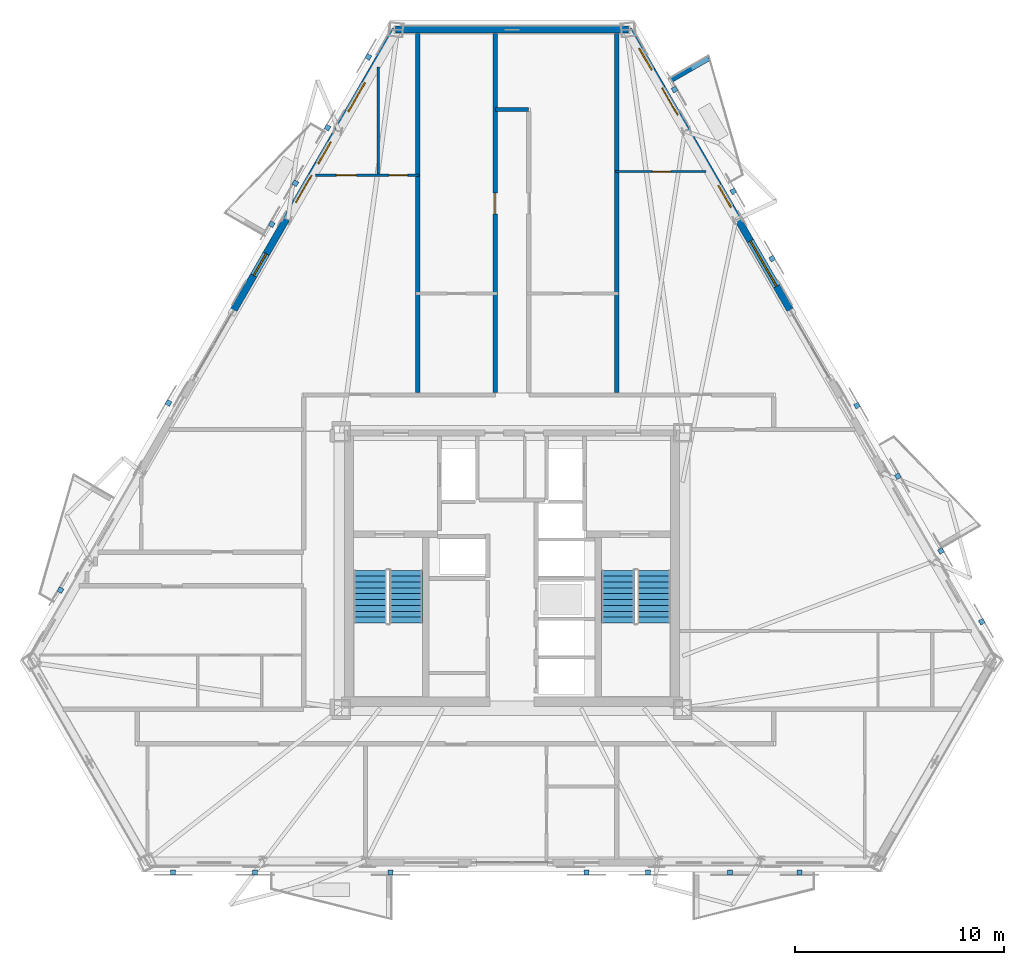
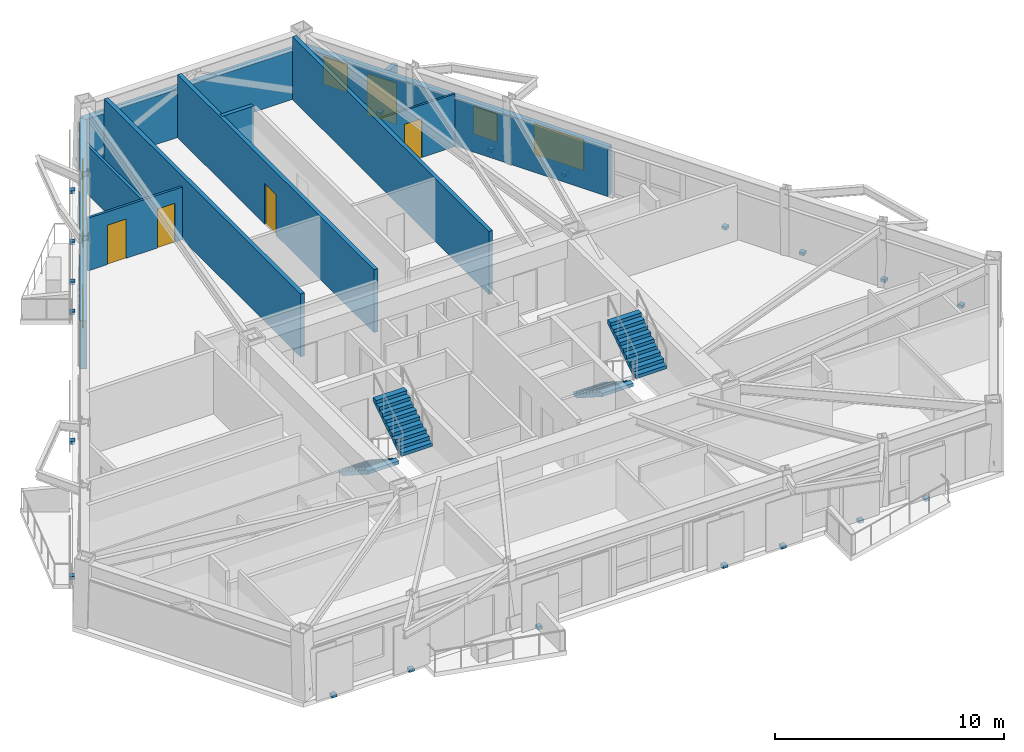
# One storey, part 12 of 16: 20 discrete accessories, 11 walls, 6 doors, 6 windows, 4 stair flights, 12 openings, 2 elements without a shape of their own.
"""IFC4 building model written with IfcOpenShell, lengths in metres."""

from ifc_helpers import new_model, si_unit, direction, frame, frame_2d, origin, origin_2d, place, context, subcontext, project, spatial, polyline, rectangle, outline, extrude, material, layer, layer_set, type_object, element, fill, aggregate, save


model = new_model("IFC4")

# Units and contexts
model_context = context("Model", 3, precision=1e-05, world=origin(), true_north=direction((0.0, 1.0)))
body_context = subcontext(model_context, "Body", "Model", "MODEL_VIEW")
ifc_project = project(units=[si_unit("LENGTHUNIT", "METRE"), si_unit("AREAUNIT", "SQUARE_METRE"), si_unit("VOLUMEUNIT", "CUBIC_METRE"), si_unit("PLANEANGLEUNIT", "RADIAN"), si_unit("MASSUNIT", "GRAM", prefix="KILO")], contexts=[model_context])

# Site, building, storey
site_placement = place(None, origin())
site = spatial("IfcSite", under=ifc_project, at=site_placement, CompositionType="ELEMENT")
building_placement = place(site_placement, origin())
building = spatial("IfcBuilding", under=site, at=building_placement, Name="Oramaril Tower", CompositionType="ELEMENT")
storey_placement = place(building_placement, frame((0.0, 0.0, 115.800048828125)))
storey = spatial("IfcBuildingStorey", under=building, at=storey_placement, Name="L30", CompositionType="ELEMENT", Elevation=115.800048828125)

# Wall, openings, door, windows
ifc_material_1 = material(Name="Warm Cream Limestone", Category="masonry")
ifc_layer_1 = layer(ifc_material_1, 0.340087890625)
ifc_layer_set_1 = layer_set([ifc_layer_1], Name="WT-EXT34")
wall_type_1 = type_object("IfcWallType", Name="WT-EXT34", PredefinedType="SOLIDWALL", material=ifc_layer_set_1)
wall_1_placement = place(storey_placement, frame((50.7890625, 30.024169921875, 0.0), z_axis=(0.0, 0.0, 1.0), x_axis=(-0.499997162583, 0.866027041962, 0.0)))
wall_1 = element("IfcWall", 1, at=wall_1_placement, inside=storey, type_object=wall_type_1, Name="L30 Tower Limestone Facade Wall 4R", PredefinedType="SOLIDWALL", context=body_context, shape_type="SweptSolid", body=[
    extrude(rectangle(XDim=15.462890625, YDim=0.340087890625, at=frame_2d((7.7314453125, 0.0))), origin(), (0.0, 0.0, 1.0), 2.577880859375),
])
opening_1_placement = place(wall_1_placement, frame((10.74365234375, 0.0, 0.0)))
opening_1 = element("IfcOpeningElement", 2, at=opening_1_placement, cuts=wall_1, Name="Opening D-L30-BAL-NE2", PredefinedType="OPENING", context=body_context, shape_type="SweptSolid", body=[
    extrude(rectangle(XDim=1.5, YDim=2.199951171875, at=frame_2d((0.75, 1.10009765625))), frame((0.0, 0.169921875, 0.0), z_axis=(0.0, -1.0, 0.0), x_axis=(1.0, 0.0, 0.0)), (0.0, 0.0, 1.0), 0.340087890625),
])
opening_2_placement = place(wall_1_placement, frame((1.306396484375, 0.0, 0.85009765625)))
opening_2 = element("IfcOpeningElement", 3, at=opening_2_placement, cuts=wall_1, Name="Opening WN-11", PredefinedType="OPENING", context=body_context, shape_type="SweptSolid", body=[
    extrude(rectangle(XDim=2.5, YDim=1.617919921875, at=frame_2d((1.25, 0.80908203125))), frame((0.0, 0.169921875, 0.0), z_axis=(0.0, -1.0, 0.0), x_axis=(1.0, 0.0, 0.0)), (0.0, 0.0, 1.0), 0.340087890625),
])
opening_3_placement = place(wall_1_placement, frame((5.665283203125, 0.0, 0.85009765625)))
opening_3 = element("IfcOpeningElement", 4, at=opening_3_placement, cuts=wall_1, Name="Opening WN-09", PredefinedType="OPENING", context=body_context, shape_type="SweptSolid", body=[
    extrude(rectangle(XDim=1.199951171875, YDim=1.47998046875, at=frame_2d((0.60009765625, 0.739990234375))), frame((0.0, 0.169921875, 0.0), z_axis=(0.0, -1.0, 0.0), x_axis=(1.0, 0.0, 0.0)), (0.0, 0.0, 1.0), 0.340087890625),
])
opening_4_placement = place(wall_1_placement, frame((13.2314453125, 0.0, 0.85009765625)))
opening_4 = element("IfcOpeningElement", 5, at=opening_4_placement, cuts=wall_1, Name="Opening WN-09", PredefinedType="OPENING", context=body_context, shape_type="SweptSolid", body=[
    extrude(rectangle(XDim=1.199951171875, YDim=1.47998046875, at=frame_2d((0.60009765625, 0.739990234375))), frame((0.0, 0.169921875, 0.0), z_axis=(0.0, -1.0, 0.0), x_axis=(1.0, 0.0, 0.0)), (0.0, 0.0, 1.0), 0.340087890625),
])
ifc_material_2 = material(Name="Anodised Aluminium 6063-T6", Category="aluminium")
door_type_1 = type_object("IfcDoorType", Name="DT-BAL", OperationType="NOTDEFINED", PredefinedType="DOOR", material=ifc_material_2)
door_1_placement = place(opening_1_placement, origin())
door_1 = element("IfcDoor", 6, at=door_1_placement, inside=storey, type_object=door_type_1, Name="L30 Balcony Glazed Door L30-BAL-NE2", OperationType="SINGLE_SWING_RIGHT", OverallHeight=2.199951171875, OverallWidth=1.5, PredefinedType="DOOR", context=body_context, shape_type="SweptSolid", body=[
    extrude(rectangle(XDim=1.5, YDim=2.199951171875, at=frame_2d((0.75, 1.10009765625))), frame((0.0, 0.02490234375, 0.0), z_axis=(0.0, -1.0, 0.0), x_axis=(1.0, 0.0, 0.0)), (0.0, 0.0, 1.0), 0.050048828125),
])
fill(opening_1, door_1)
ifc_material_3 = material(Name="Coastal Low-E Insulated Glass", Category="glass")
window_type_1 = type_object("IfcWindowType", Name="WNT-09", PartitioningType="SINGLE_PANEL", PredefinedType="WINDOW", material=ifc_material_3)
window_1_placement = place(opening_3_placement, origin())
window_1 = element("IfcWindow", 7, at=window_1_placement, inside=storey, type_object=window_type_1, Name="L30 Chicago Bay Window WN-09", OverallHeight=1.47998046875, OverallWidth=1.199951171875, PartitioningType="SINGLE_PANEL", PredefinedType="WINDOW", context=body_context, shape_type="SweptSolid", body=[
    extrude(rectangle(XDim=1.199951171875, YDim=1.47998046875, at=frame_2d((0.60009765625, 0.739990234375))), frame((0.0, 0.030029296875, 0.0), z_axis=(0.0, -1.0, 0.0), x_axis=(1.0, 0.0, 0.0)), (0.0, 0.0, 1.0), 0.06005859375),
])
fill(opening_3, window_1)
window_2_placement = place(opening_4_placement, origin())
window_2 = element("IfcWindow", 8, at=window_2_placement, inside=storey, type_object=window_type_1, Name="L30 Chicago Bay Window WN-09", OverallHeight=1.47998046875, OverallWidth=1.199951171875, PartitioningType="SINGLE_PANEL", PredefinedType="WINDOW", context=body_context, shape_type="SweptSolid", body=[
    extrude(rectangle(XDim=1.199951171875, YDim=1.47998046875, at=frame_2d((0.60009765625, 0.739990234375))), frame((0.0, 0.030029296875, 0.0), z_axis=(0.0, -1.0, 0.0), x_axis=(1.0, 0.0, 0.0)), (0.0, 0.0, 1.0), 0.06005859375),
])
fill(opening_4, window_2)
ifc_material_4 = material(Name="Coastal Low-E Insulated Glass", Category="glass")
window_type_2 = type_object("IfcWindowType", Name="WNT-11", PartitioningType="SINGLE_PANEL", PredefinedType="WINDOW", material=ifc_material_4)
window_3_placement = place(opening_2_placement, origin())
window_3 = element("IfcWindow", 9, at=window_3_placement, inside=storey, type_object=window_type_2, Name="L30 Chicago Bay Window WN-11", OverallHeight=1.617919921875, OverallWidth=2.5, PartitioningType="SINGLE_PANEL", PredefinedType="WINDOW", context=body_context, shape_type="SweptSolid", body=[
    extrude(rectangle(XDim=2.5, YDim=1.617919921875, at=frame_2d((1.25, 0.80908203125))), frame((0.0, 0.030029296875, 0.0), z_axis=(0.0, -1.0, 0.0), x_axis=(1.0, 0.0, 0.0)), (0.0, 0.0, 1.0), 0.06005859375),
])
fill(opening_2, window_3)

# Wall
wall_2_placement = place(storey_placement, frame((43.0576171875, 43.41552734375, 0.0), z_axis=(0.0, 0.0, 1.0), x_axis=(-1.0, 0.0, 0.0)))
element("IfcWall", 10, at=wall_2_placement, inside=storey, type_object=wall_type_1, Name="L30 Tower Limestone Facade Wall 5M", PredefinedType="SOLIDWALL", context=body_context, shape_type="SweptSolid", body=[
    extrude(rectangle(XDim=11.115234375, YDim=0.340087890625, at=frame_2d((5.5576171875, 0.0))), origin(), (0.0, 0.0, 1.0), 2.577880859375),
])

# Wall, openings, door, windows
wall_3_placement = place(storey_placement, frame((31.9423828125, 43.41552734375, 0.0), z_axis=(0.0, 0.0, 1.0), x_axis=(-0.499997162583, -0.866027041962, 0.0)))
wall_3 = element("IfcWall", 11, at=wall_3_placement, inside=storey, type_object=wall_type_1, Name="L30 Tower Limestone Facade Wall 6L", PredefinedType="SOLIDWALL", context=body_context, shape_type="SweptSolid", body=[
    extrude(rectangle(XDim=15.462890625, YDim=0.340087890625, at=frame_2d((7.7314453125, 0.0))), origin(), (0.0, 0.0, 1.0), 2.577880859375),
])
opening_5_placement = place(wall_3_placement, frame((8.034423828125, 0.0, 0.0)))
opening_5 = element("IfcOpeningElement", 12, at=opening_5_placement, cuts=wall_3, Name="Opening D-L30-BAL-NW1", PredefinedType="OPENING", context=body_context, shape_type="SweptSolid", body=[
    extrude(rectangle(XDim=1.5, YDim=2.199951171875, at=frame_2d((0.75, 1.10009765625))), frame((0.0, 0.169921875, 0.0), z_axis=(0.0, -1.0, 0.0), x_axis=(1.0, 0.0, 0.0)), (0.0, 0.0, 1.0), 0.340087890625),
])
opening_6_placement = place(wall_3_placement, frame((12.361572265625, 0.0, 0.85009765625)))
opening_6 = element("IfcOpeningElement", 13, at=opening_6_placement, cuts=wall_3, Name="Opening WN-09", PredefinedType="OPENING", context=body_context, shape_type="SweptSolid", body=[
    extrude(rectangle(XDim=1.199951171875, YDim=1.47998046875, at=frame_2d((0.60009765625, 0.739990234375))), frame((0.0, 0.169921875, 0.0), z_axis=(0.0, -1.0, 0.0), x_axis=(1.0, 0.0, 0.0)), (0.0, 0.0, 1.0), 0.340087890625),
])
opening_7_placement = place(wall_3_placement, frame((2.9306640625, 0.0, 0.85009765625)))
opening_7 = element("IfcOpeningElement", 14, at=opening_7_placement, cuts=wall_3, Name="Opening WN-07", PredefinedType="OPENING", context=body_context, shape_type="SweptSolid", body=[
    extrude(rectangle(XDim=1.60009765625, YDim=1.617919921875, at=frame_2d((0.800048828125, 0.80908203125))), frame((0.0, 0.169921875, 0.0), z_axis=(0.0, -1.0, 0.0), x_axis=(1.0, 0.0, 0.0)), (0.0, 0.0, 1.0), 0.340087890625),
])
opening_8_placement = place(wall_3_placement, frame((6.197509765625, 0.0, 0.85009765625)))
opening_8 = element("IfcOpeningElement", 15, at=opening_8_placement, cuts=wall_3, Name="Opening WN-09", PredefinedType="OPENING", context=body_context, shape_type="SweptSolid", body=[
    extrude(rectangle(XDim=1.199951171875, YDim=1.47998046875, at=frame_2d((0.60009765625, 0.739990234375))), frame((0.0, 0.169921875, 0.0), z_axis=(0.0, -1.0, 0.0), x_axis=(1.0, 0.0, 0.0)), (0.0, 0.0, 1.0), 0.340087890625),
])
door_2_placement = place(opening_5_placement, origin())
door_2 = element("IfcDoor", 16, at=door_2_placement, inside=storey, type_object=door_type_1, Name="L30 Balcony Glazed Door L30-BAL-NW1", OperationType="SINGLE_SWING_LEFT", OverallHeight=2.199951171875, OverallWidth=1.5, PredefinedType="DOOR", context=body_context, shape_type="SweptSolid", body=[
    extrude(rectangle(XDim=1.5, YDim=2.199951171875, at=frame_2d((0.75, 1.10009765625))), frame((0.0, 0.02490234375, 0.0), z_axis=(0.0, -1.0, 0.0), x_axis=(1.0, 0.0, 0.0)), (0.0, 0.0, 1.0), 0.050048828125),
])
fill(opening_5, door_2)
ifc_material_5 = material(Name="Coastal Low-E Insulated Glass", Category="glass")
window_type_3 = type_object("IfcWindowType", Name="WNT-07", PartitioningType="SINGLE_PANEL", PredefinedType="WINDOW", material=ifc_material_5)
window_4_placement = place(opening_7_placement, origin())
window_4 = element("IfcWindow", 17, at=window_4_placement, inside=storey, type_object=window_type_3, Name="L30 Chicago Bay Window WN-07", OverallHeight=1.617919921875, OverallWidth=1.60009765625, PartitioningType="SINGLE_PANEL", PredefinedType="WINDOW", context=body_context, shape_type="SweptSolid", body=[
    extrude(rectangle(XDim=1.60009765625, YDim=1.617919921875, at=frame_2d((0.800048828125, 0.80908203125))), frame((0.0, 0.030029296875, 0.0), z_axis=(0.0, -1.0, 0.0), x_axis=(1.0, 0.0, 0.0)), (0.0, 0.0, 1.0), 0.06005859375),
])
fill(opening_7, window_4)
window_5_placement = place(opening_6_placement, origin())
window_5 = element("IfcWindow", 18, at=window_5_placement, inside=storey, type_object=window_type_1, Name="L30 Chicago Bay Window WN-09", OverallHeight=1.47998046875, OverallWidth=1.199951171875, PartitioningType="SINGLE_PANEL", PredefinedType="WINDOW", context=body_context, shape_type="SweptSolid", body=[
    extrude(rectangle(XDim=1.199951171875, YDim=1.47998046875, at=frame_2d((0.60009765625, 0.739990234375))), frame((0.0, 0.030029296875, 0.0), z_axis=(0.0, -1.0, 0.0), x_axis=(1.0, 0.0, 0.0)), (0.0, 0.0, 1.0), 0.06005859375),
])
fill(opening_6, window_5)
window_6_placement = place(opening_8_placement, origin())
window_6 = element("IfcWindow", 19, at=window_6_placement, inside=storey, type_object=window_type_1, Name="L30 Chicago Bay Window WN-09", OverallHeight=1.47998046875, OverallWidth=1.199951171875, PartitioningType="SINGLE_PANEL", PredefinedType="WINDOW", context=body_context, shape_type="SweptSolid", body=[
    extrude(rectangle(XDim=1.199951171875, YDim=1.47998046875, at=frame_2d((0.60009765625, 0.739990234375))), frame((0.0, 0.030029296875, 0.0), z_axis=(0.0, -1.0, 0.0), x_axis=(1.0, 0.0, 0.0)), (0.0, 0.0, 1.0), 0.06005859375),
])
fill(opening_8, window_6)

# Wall
ifc_material_6 = material(Name="Concrete C40/50", Category="concrete")
ifc_layer_2 = layer(ifc_material_6, 0.22998046875)
ifc_layer_set_2 = layer_set([ifc_layer_2], Name="WT-PRP23")
wall_type_2 = type_object("IfcWallType", Name="WT-PRP23", PredefinedType="PARAPET", material=ifc_layer_set_2)
wall_4_placement = place(storey_placement, frame((45.132568359375, 41.017333984375, 0.0), z_axis=(0.0, 0.0, 1.0), x_axis=(0.866012356593, 0.500022597718, 0.0)))
element("IfcWall", 20, at=wall_4_placement, inside=storey, type_object=wall_type_2, Name="L30 Trapezoidal Balcony Frame Cheek L30-BAL-NE2-R", PredefinedType="PARAPET", context=body_context, shape_type="SweptSolid", body=[
    extrude(outline(polyline([(0.0, 0.0), (2.0419921875, 0.0), (2.0419921875, 1.099853515625), (0.0, 1.320068359375), (0.0, 0.0)])), frame((0.0, 0.114990234375, 0.0), z_axis=(0.0, -1.0, 0.0), x_axis=(1.0, 0.0, 0.0)), (0.0, 0.0, 1.0), 0.22998046875),
])

# Wall, opening, door
ifc_material_7 = material(Name="Acoustic Gypsum Board Partition")
ifc_layer_3 = layer(ifc_material_7, 0.10009765625)
ifc_layer_set_3 = layer_set([ifc_layer_3], Name="WT-PT10")
wall_type_3 = type_object("IfcWallType", Name="WT-PT10", PredefinedType="PARTITIONING", material=ifc_layer_set_3)
wall_5_placement = place(storey_placement, frame((42.41796875, 36.6298828125, 0.0), z_axis=(0.0, 0.0, 1.0), x_axis=(1.0, 0.0, 0.0)))
wall_5 = element("IfcWall", 21, at=wall_5_placement, inside=storey, type_object=wall_type_3, Name="L30 Interior Partition PT-10", PredefinedType="PARTITIONING", context=body_context, shape_type="SweptSolid", body=[
    extrude(rectangle(XDim=4.356201171875, YDim=0.10009765625, at=frame_2d((2.17822265625, 0.0))), origin(), (0.0, 0.0, 1.0), 2.81396484375),
])
opening_9_placement = place(wall_5_placement, frame((1.79248046875, 0.0, 0.0)))
opening_9 = element("IfcOpeningElement", 22, at=opening_9_placement, cuts=wall_5, Name="Opening D-L30-19", PredefinedType="OPENING", context=body_context, shape_type="SweptSolid", body=[
    extrude(rectangle(XDim=0.8798828125, YDim=2.080078125, at=frame_2d((0.43994140625, 1.0400390625))), frame((0.0, 0.050048828125, 0.0), z_axis=(0.0, -1.0, 0.0), x_axis=(1.0, 0.0, 0.0)), (0.0, 0.0, 1.0), 0.10009765625),
])
ifc_material_8 = material(Name="FSC Brazilian Freijo Hardwood", Category="wood")
door_type_2 = type_object("IfcDoorType", Name="DT-BATH", OperationType="NOTDEFINED", PredefinedType="DOOR", material=ifc_material_8)
door_3_placement = place(opening_9_placement, origin())
door_3 = element("IfcDoor", 23, at=door_3_placement, inside=storey, type_object=door_type_2, Name="L30 Flat L30-U10 Bathroom Door D-L30-19", OperationType="SINGLE_SWING_LEFT", OverallHeight=2.080078125, OverallWidth=0.8798828125, PredefinedType="DOOR", context=body_context, shape_type="SweptSolid", body=[
    extrude(rectangle(XDim=0.8798828125, YDim=2.080078125, at=frame_2d((0.43994140625, 1.0400390625))), frame((0.0, 0.02490234375, 0.0), z_axis=(0.0, -1.0, 0.0), x_axis=(1.0, 0.0, 0.0)), (0.0, 0.0, 1.0), 0.050048828125),
])
fill(opening_9, door_3)

# Wall, openings, doors
ifc_material_9 = material(Name="Acoustic Gypsum Board Partition")
ifc_layer_4 = layer(ifc_material_9, 0.1201171875)
ifc_layer_set_4 = layer_set([ifc_layer_4], Name="WT-PT12")
wall_type_4 = type_object("IfcWallType", Name="WT-PT12", PredefinedType="PARTITIONING", material=ifc_layer_set_4)
wall_6_placement = place(storey_placement, frame((28.121826171875, 36.449951171875, 0.0), z_axis=(0.0, 0.0, 1.0), x_axis=(1.0, 0.0, 0.0)))
wall_6 = element("IfcWall", 24, at=wall_6_placement, inside=storey, type_object=wall_type_4, Name="L30 Interior Partition PT-12", PredefinedType="PARTITIONING", context=body_context, shape_type="SweptSolid", body=[
    extrude(rectangle(XDim=4.92822265625, YDim=0.1201171875, at=frame_2d((2.464111328125, 0.0))), origin(), (0.0, 0.0, 1.0), 2.81396484375),
])
opening_10_placement = place(wall_6_placement, frame((0.989013671875, 0.0, 0.0)))
opening_10 = element("IfcOpeningElement", 25, at=opening_10_placement, cuts=wall_6, Name="Opening D-L30-17", PredefinedType="OPENING", context=body_context, shape_type="SweptSolid", body=[
    extrude(rectangle(XDim=0.949951171875, YDim=2.10009765625, at=frame_2d((0.47509765625, 1.050048828125))), frame((0.0, 0.06005859375, 0.0), z_axis=(0.0, -1.0, 0.0), x_axis=(1.0, 0.0, 0.0)), (0.0, 0.0, 1.0), 0.1201171875),
])
opening_11_placement = place(wall_6_placement, frame((3.50830078125, 0.0, 0.0)))
opening_11 = element("IfcOpeningElement", 26, at=opening_11_placement, cuts=wall_6, Name="Opening D-L30-18", PredefinedType="OPENING", context=body_context, shape_type="SweptSolid", body=[
    extrude(rectangle(XDim=0.8798828125, YDim=2.080078125, at=frame_2d((0.43994140625, 1.0400390625))), frame((0.0, 0.06005859375, 0.0), z_axis=(0.0, -1.0, 0.0), x_axis=(1.0, 0.0, 0.0)), (0.0, 0.0, 1.0), 0.1201171875),
])
door_4_placement = place(opening_11_placement, origin())
door_4 = element("IfcDoor", 27, at=door_4_placement, inside=storey, type_object=door_type_2, Name="L30 Flat L30-U7 Bathroom Door D-L30-18", OperationType="SINGLE_SWING_RIGHT", OverallHeight=2.080078125, OverallWidth=0.8798828125, PredefinedType="DOOR", context=body_context, shape_type="SweptSolid", body=[
    extrude(rectangle(XDim=0.8798828125, YDim=2.080078125, at=frame_2d((0.43994140625, 1.0400390625))), frame((0.0, 0.02490234375, 0.0), z_axis=(0.0, -1.0, 0.0), x_axis=(1.0, 0.0, 0.0)), (0.0, 0.0, 1.0), 0.050048828125),
])
fill(opening_11, door_4)
ifc_material_10 = material(Name="FSC Brazilian Freijo Hardwood", Category="wood")
door_type_3 = type_object("IfcDoorType", Name="DT-STDY", OperationType="NOTDEFINED", PredefinedType="DOOR", material=ifc_material_10)
door_5_placement = place(opening_10_placement, origin())
door_5 = element("IfcDoor", 28, at=door_5_placement, inside=storey, type_object=door_type_3, Name="L30 Flat L30-U7 Kitchen Door D-L30-17", OperationType="SINGLE_SWING_LEFT", OverallHeight=2.10009765625, OverallWidth=0.949951171875, PredefinedType="DOOR", context=body_context, shape_type="SweptSolid", body=[
    extrude(rectangle(XDim=0.949951171875, YDim=2.10009765625, at=frame_2d((0.47509765625, 1.050048828125))), frame((0.0, 0.02490234375, 0.0), z_axis=(0.0, -1.0, 0.0), x_axis=(1.0, 0.0, 0.0)), (0.0, 0.0, 1.0), 0.050048828125),
])
fill(opening_10, door_5)

# Walls
ifc_material_11 = material(Name="Acoustic Gypsum Board Partition")
ifc_layer_5 = layer(ifc_material_11, 0.139892578125)
ifc_layer_set_5 = layer_set([ifc_layer_5], Name="WT-PT14")
wall_type_5 = type_object("IfcWallType", Name="WT-PT14", PredefinedType="PARTITIONING", material=ifc_layer_set_5)
wall_7_placement = place(storey_placement, frame((31.110107421875, 36.513916015625, 0.0), z_axis=(0.0, 0.0, 1.0), x_axis=(0.0, 1.0, 0.0)))
element("IfcWall", 29, at=wall_7_placement, inside=storey, type_object=wall_type_5, Name="L30 Interior Partition PT-14", PredefinedType="PARTITIONING", context=body_context, shape_type="SweptSolid", body=[
    extrude(rectangle(XDim=5.11181640625, YDim=0.139892578125, at=frame_2d((2.555908203125, 0.0))), origin(), (0.0, 0.0, 1.0), 2.577880859375),
])
ifc_material_12 = material(Name="Autoclaved Cellular Concrete Block", Category="concrete")
ifc_layer_6 = layer(ifc_material_12, 0.199951171875)
ifc_layer_set_6 = layer_set([ifc_layer_6], Name="WT-PT20")
wall_type_6 = type_object("IfcWallType", Name="WT-PT20", PredefinedType="PARTITIONING", material=ifc_layer_set_6)
wall_8_placement = place(storey_placement, frame((36.699951171875, 39.60009765625, 0.0), z_axis=(0.0, 0.0, 1.0), x_axis=(1.0, 0.0, 0.0)))
element("IfcWall", 30, at=wall_8_placement, inside=storey, type_object=wall_type_6, Name="L30 Interior Partition PT-20", PredefinedType="PARTITIONING", context=body_context, shape_type="SweptSolid", body=[
    extrude(rectangle(XDim=1.60009765625, YDim=0.199951171875, at=frame_2d((0.800048828125, 0.0))), origin(), (0.0, 0.0, 1.0), 3.35986328125),
])
wall_9_placement = place(storey_placement, frame((33.0, 26.073974609375, 0.0), z_axis=(0.0, 0.0, 1.0), x_axis=(0.0, 1.0, 0.0)))
element("IfcWall", 31, at=wall_9_placement, inside=storey, type_object=wall_type_6, Name="L30 Interior Partition PT-20", PredefinedType="PARTITIONING", context=body_context, shape_type="SweptSolid", body=[
    extrude(rectangle(XDim=17.167724609375, YDim=0.199951171875, at=frame_2d((8.583984375, 0.0))), origin(), (0.0, 0.0, 1.0), 3.35986328125),
])

# Wall, opening, door
wall_10_placement = place(storey_placement, frame((36.699951171875, 26.073974609375, 0.0), z_axis=(0.0, 0.0, 1.0), x_axis=(0.0, 1.0, 0.0)))
wall_10 = element("IfcWall", 32, at=wall_10_placement, inside=storey, type_object=wall_type_6, Name="L30 Interior Partition PT-20", PredefinedType="PARTITIONING", context=body_context, shape_type="SweptSolid", body=[
    extrude(rectangle(XDim=17.167724609375, YDim=0.199951171875, at=frame_2d((8.583984375, 0.0))), origin(), (0.0, 0.0, 1.0), 3.35986328125),
])
opening_12_placement = place(wall_10_placement, frame((8.537353515625, 0.0, 0.0)))
opening_12 = element("IfcOpeningElement", 33, at=opening_12_placement, cuts=wall_10, Name="Opening D-L30-22", PredefinedType="OPENING", context=body_context, shape_type="SweptSolid", body=[
    extrude(rectangle(XDim=1.0, YDim=2.179931640625, at=frame_2d((0.5, 1.08984375))), frame((0.0, 0.10009765625, 0.0), z_axis=(0.0, -1.0, 0.0), x_axis=(1.0, 0.0, 0.0)), (0.0, 0.0, 1.0), 0.199951171875),
])
ifc_material_13 = material(Name="FSC Brazilian Freijo Hardwood", Category="wood")
door_type_4 = type_object("IfcDoorType", Name="DT-APT", OperationType="NOTDEFINED", PredefinedType="DOOR", material=ifc_material_13)
door_6_placement = place(opening_12_placement, origin())
door_6 = element("IfcDoor", 34, at=door_6_placement, inside=storey, type_object=door_type_4, Name="L30 Flat L30-U8 Kitchen and Studio Apartment Door D-L30-22", OperationType="SINGLE_SWING_RIGHT", OverallHeight=2.179931640625, OverallWidth=1.0, PredefinedType="DOOR", context=body_context, shape_type="SweptSolid", body=[
    extrude(rectangle(XDim=1.0, YDim=2.179931640625, at=frame_2d((0.5, 1.08984375))), frame((0.0, 0.02490234375, 0.0), z_axis=(0.0, -1.0, 0.0), x_axis=(1.0, 0.0, 0.0)), (0.0, 0.0, 1.0), 0.050048828125),
])
fill(opening_12, door_6)

# Wall
wall_11_placement = place(storey_placement, frame((42.5, 26.073974609375, 0.0), z_axis=(0.0, 0.0, 1.0), x_axis=(0.0, 1.0, 0.0)))
element("IfcWall", 35, at=wall_11_placement, inside=storey, type_object=wall_type_6, Name="L30 Interior Partition PT-20", PredefinedType="PARTITIONING", context=body_context, shape_type="SweptSolid", body=[
    extrude(rectangle(XDim=17.167724609375, YDim=0.199951171875, at=frame_2d((8.583984375, 0.0))), origin(), (0.0, 0.0, 1.0), 3.35986328125),
])

# Stair, stair flights
ifc_material_14 = material(Name="Concrete C50/60", Category="concrete")
stair_type = type_object("IfcStairType", Name="STT-DG-3600", PredefinedType="HALF_TURN_STAIR", material=ifc_material_14)
stair_1_placement = place(storey_placement, origin())
stair_1 = element("IfcStair", 36, at=stair_1_placement, inside=storey, type_object=stair_type, Name="L30 Protected PFP Exit Stair ST-1", PredefinedType="HALF_TURN_STAIR")
ifc_material_15 = material(Name="Concrete C50/60", Category="concrete")
stair_flight_type = type_object("IfcStairFlightType", Name="SFT-DG-3600", PredefinedType="STRAIGHT", material=ifc_material_15)
stair_flight_1_placement = place(storey_placement, frame((30.72998046875, 17.590087890625, 0.0), z_axis=(0.0, 0.0, 1.0), x_axis=(0.0, -1.0, 0.0)))
stair_flight_1 = element("IfcStairFlight", 37, at=stair_flight_1_placement, type_object=stair_flight_type, Name="ST-1 flight 1", NumberOfRisers=10, NumberOfTreads=9, PredefinedType="STRAIGHT", RiserHeight=0.18, TreadLength=0.28, context=body_context, shape_type="SweptSolid", body=[
    extrude(outline(polyline([(0.0, 0.0), (0.0, 0.179931640625), (0.280029296875, 0.179931640625), (0.280029296875, 0.360107421875), (0.56005859375, 0.360107421875), (0.56005859375, 0.5400390625), (0.840087890625, 0.5400390625), (0.840087890625, 0.719970703125), (1.1201171875, 0.719970703125), (1.1201171875, 0.89990234375), (1.39990234375, 0.89990234375), (1.39990234375, 1.080078125), (1.679931640625, 1.080078125), (1.679931640625, 1.260009765625), (1.9599609375, 1.260009765625), (1.9599609375, 1.43994140625), (2.239990234375, 1.43994140625), (2.239990234375, 1.6201171875), (2.52001953125, 1.6201171875), (2.52001953125, 1.800048828125), (2.52001953125, 1.44189453125), (0.277099609375, 0.0), (0.0, 0.0)])), frame((0.0, 0.780029296875, 0.0), z_axis=(0.0, -1.0, 0.0), x_axis=(1.0, 0.0, 0.0)), (0.0, 0.0, 1.0), 1.56005859375),
])
stair_flight_2_placement = place(storey_placement, frame((32.43994140625, 15.070068359375, 1.800048828125), z_axis=(0.0, 0.0, 1.0), x_axis=(0.0, 1.0, 0.0)))
stair_flight_2 = element("IfcStairFlight", 38, at=stair_flight_2_placement, type_object=stair_flight_type, Name="ST-1 flight 2", NumberOfRisers=10, NumberOfTreads=9, PredefinedType="STRAIGHT", RiserHeight=0.18, TreadLength=0.28, context=body_context, shape_type="SweptSolid", body=[
    extrude(outline(polyline([(0.0, 0.0), (0.0, 0.179931640625), (0.280029296875, 0.179931640625), (0.280029296875, 0.360107421875), (0.56005859375, 0.360107421875), (0.56005859375, 0.5400390625), (0.840087890625, 0.5400390625), (0.840087890625, 0.719970703125), (1.1201171875, 0.719970703125), (1.1201171875, 0.89990234375), (1.39990234375, 0.89990234375), (1.39990234375, 1.080078125), (1.679931640625, 1.080078125), (1.679931640625, 1.260009765625), (1.9599609375, 1.260009765625), (1.9599609375, 1.43994140625), (2.239990234375, 1.43994140625), (2.239990234375, 1.6201171875), (2.52001953125, 1.6201171875), (2.52001953125, 1.800048828125), (2.52001953125, 1.44189453125), (0.277099609375, 0.0), (0.0, 0.0)])), frame((0.0, 0.780029296875, 0.0), z_axis=(0.0, -1.0, 0.0), x_axis=(1.0, 0.0, 0.0)), (0.0, 0.0, 1.0), 1.56005859375),
])
aggregate(stair_1, [stair_flight_1, stair_flight_2])

stair_2_placement = place(storey_placement, origin())
stair_2 = element("IfcStair", 39, at=stair_2_placement, inside=storey, type_object=stair_type, Name="L30 Protected PFP Exit Stair ST-2", PredefinedType="HALF_TURN_STAIR")
stair_flight_3_placement = place(storey_placement, frame((42.56005859375, 17.590087890625, 0.0), z_axis=(0.0, 0.0, 1.0), x_axis=(0.0, -1.0, 0.0)))
stair_flight_3 = element("IfcStairFlight", 40, at=stair_flight_3_placement, type_object=stair_flight_type, Name="ST-2 flight 1", NumberOfRisers=10, NumberOfTreads=9, PredefinedType="STRAIGHT", RiserHeight=0.18, TreadLength=0.28, context=body_context, shape_type="SweptSolid", body=[
    extrude(outline(polyline([(0.0, 0.0), (0.0, 0.179931640625), (0.280029296875, 0.179931640625), (0.280029296875, 0.360107421875), (0.56005859375, 0.360107421875), (0.56005859375, 0.5400390625), (0.840087890625, 0.5400390625), (0.840087890625, 0.719970703125), (1.1201171875, 0.719970703125), (1.1201171875, 0.89990234375), (1.39990234375, 0.89990234375), (1.39990234375, 1.080078125), (1.679931640625, 1.080078125), (1.679931640625, 1.260009765625), (1.9599609375, 1.260009765625), (1.9599609375, 1.43994140625), (2.239990234375, 1.43994140625), (2.239990234375, 1.6201171875), (2.52001953125, 1.6201171875), (2.52001953125, 1.800048828125), (2.52001953125, 1.44189453125), (0.277099609375, 0.0), (0.0, 0.0)])), frame((0.0, 0.780029296875, 0.0), z_axis=(0.0, -1.0, 0.0), x_axis=(1.0, 0.0, 0.0)), (0.0, 0.0, 1.0), 1.56005859375),
])
stair_flight_4_placement = place(storey_placement, frame((44.27001953125, 15.070068359375, 1.800048828125), z_axis=(0.0, 0.0, 1.0), x_axis=(0.0, 1.0, 0.0)))
stair_flight_4 = element("IfcStairFlight", 41, at=stair_flight_4_placement, type_object=stair_flight_type, Name="ST-2 flight 2", NumberOfRisers=10, NumberOfTreads=9, PredefinedType="STRAIGHT", RiserHeight=0.18, TreadLength=0.28, context=body_context, shape_type="SweptSolid", body=[
    extrude(outline(polyline([(0.0, 0.0), (0.0, 0.179931640625), (0.280029296875, 0.179931640625), (0.280029296875, 0.360107421875), (0.56005859375, 0.360107421875), (0.56005859375, 0.5400390625), (0.840087890625, 0.5400390625), (0.840087890625, 0.719970703125), (1.1201171875, 0.719970703125), (1.1201171875, 0.89990234375), (1.39990234375, 0.89990234375), (1.39990234375, 1.080078125), (1.679931640625, 1.080078125), (1.679931640625, 1.260009765625), (1.9599609375, 1.260009765625), (1.9599609375, 1.43994140625), (2.239990234375, 1.43994140625), (2.239990234375, 1.6201171875), (2.52001953125, 1.6201171875), (2.52001953125, 1.800048828125), (2.52001953125, 1.44189453125), (0.277099609375, 0.0), (0.0, 0.0)])), frame((0.0, 0.780029296875, 0.0), z_axis=(0.0, -1.0, 0.0), x_axis=(1.0, 0.0, 0.0)), (0.0, 0.0, 1.0), 1.56005859375),
])
aggregate(stair_2, [stair_flight_3, stair_flight_4])

# Discrete accessories
for number, where, z_axis, x_axis, name in (
    (42, (21.315673828125, 3.1494140625, -0.14013671875), (0.0, 0.0, 1.0), (1.0, 0.0, 0.0), "L30 Solar Screen Slab Bracket"),
    (43, (25.2158203125, 3.1494140625, -0.14013671875), (0.0, 0.0, 1.0), (1.0, 0.0, 0.0), "L30 Solar Screen Slab Bracket"),
    (44, (31.691650390625, 3.1494140625, -0.14013671875), (0.0, 0.0, 1.0), (1.0, 0.0, 0.0), "L30 Solar Screen Slab Bracket"),
    (45, (41.05029296875, 3.1494140625, -0.14013671875), (0.0, 0.0, 1.0), (1.0, 0.0, 0.0), "L30 Solar Screen Slab Bracket"),
    (46, (44.00390625, 3.1494140625, -0.14013671875), (0.0, 0.0, 1.0), (1.0, 0.0, 0.0), "L30 Solar Screen Slab Bracket"),
    (47, (47.904052734375, 3.1494140625, -0.14013671875), (0.0, 0.0, 1.0), (1.0, 0.0, 0.0), "L30 Solar Screen Slab Bracket"),
    (48, (51.234375, 3.1494140625, -0.14013671875), (0.0, 0.0, 1.0), (1.0, 0.0, 0.0), "L30 Solar Screen Slab Bracket"),
    (49, (59.940185546875, 15.1337890625, -0.14013671875), (0.0, 0.0, 1.0), (-0.5, 0.866025403784, 0.0), "L30 Solar Screen Slab Bracket"),
    (50, (57.990234375, 18.51123046875, -0.14013671875), (0.0, 0.0, 1.0), (-0.5, 0.866025403784, 0.0), "L30 Solar Screen Slab Bracket"),
    (51, (55.92919921875, 22.081298828125, -0.14013671875), (0.0, 0.0, 1.0), (-0.5, 0.866025403784, 0.0), "L30 Solar Screen Slab Bracket"),
    (52, (53.97900390625, 25.458740234375, -0.14013671875), (0.0, 0.0, 1.0), (-0.5, 0.866025403784, 0.0), "L30 Solar Screen Slab Bracket"),
    (53, (49.926513671875, 32.47802734375, -0.14013671875), (0.0, 0.0, 1.0), (-0.499995465495, 0.866028021766, 0.0), "L30 Solar Screen Slab Bracket"),
    (54, (48.072021484375, 35.68994140625, -0.14013671875), (0.0, 0.0, 1.0), (-0.499995465495, 0.866028021766, 0.0), "L30 Solar Screen Slab Bracket"),
    (55, (45.263916015625, 40.5537109375, -0.14013671875), (0.0, 0.0, 1.0), (-0.499995465495, 0.866028021766, 0.0), "L30 Solar Screen Slab Bracket"),
    (56, (26.02099609375, 34.119384765625, -0.14013671875), (0.0, 0.0, 1.0), (-0.5, -0.866025403784, 0.0), "L30 Solar Screen Slab Bracket"),
    (57, (30.636474609375, 42.11328125, -0.14013671875), (0.0, 0.0, 1.0), (-0.5, -0.866025403784, 0.0), "L30 Solar Screen Slab Bracket"),
    (58, (28.686279296875, 38.73583984375, -0.14013671875), (0.0, 0.0, 1.0), (-0.5, -0.866025403784, 0.0), "L30 Solar Screen Slab Bracket"),
    (59, (27.153076171875, 36.080078125, -0.14013671875), (0.0, 0.0, 1.0), (-0.5, -0.866025403784, 0.0), "L30 Solar Screen Slab Bracket"),
    (60, (15.931640625, 16.643798828125, -0.14013671875), (0.0, 0.0, 1.0), (-0.499995465495, -0.866028021766, 0.0), "L30 Solar Screen Slab Bracket"),
    (61, (21.093017578125, 25.58349609375, -0.14013671875), (0.0, 0.0, 1.0), (-0.499995465495, -0.866028021766, 0.0), "L30 Solar Screen Slab Bracket"),
):
    element("IfcDiscreteAccessory", number, at=place(storey_placement, frame(where, z_axis=z_axis, x_axis=x_axis)), inside=storey, Name=name, PredefinedType="BRACKET", context=body_context, shape_type="SweptSolid", body=[
        extrude(rectangle(XDim=0.239990234375, YDim=0.239990234375, at=origin_2d()), origin(), (0.0, 0.0, 1.0), 0.159912109375),
    ])

save(model, "model.ifc")
